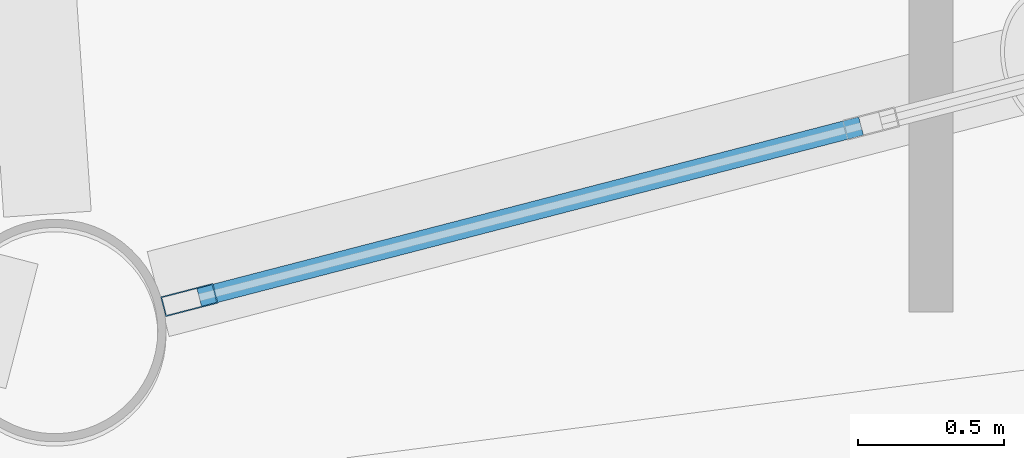
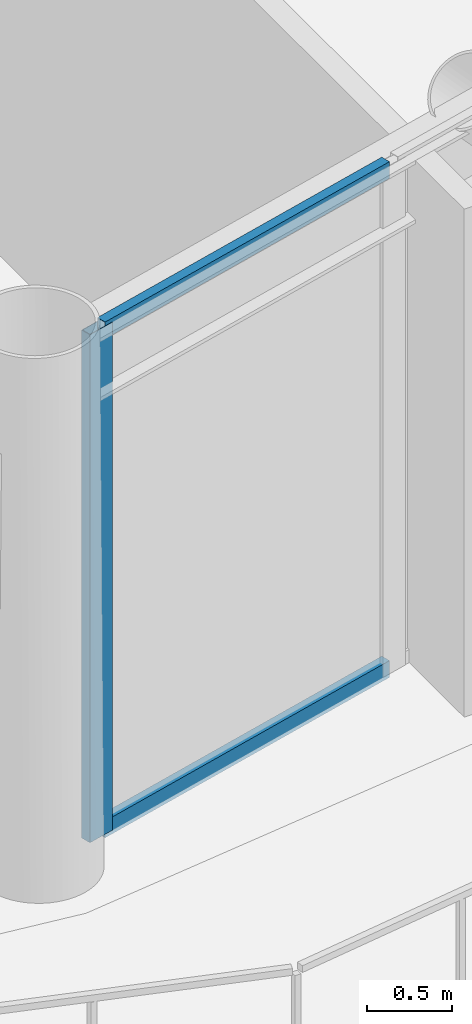
# One storey, part 5 of 23: 3 members, 1 element without a shape of its own.
"""IFC4 building model written with IfcOpenShell, lengths in metres."""

import ifcopenshell
import ifcopenshell.guid

model = None  # the IFC model being written
_history = None  # IfcOwnerHistory: only IFC2X3 demands one
_inside = {}  # id of a spatial element -> (the spatial element, [elements in it])
_under = {}  # id of a project, library or spatial element -> (it, [spatial elements below it])
_declared = {}  # id of a project -> (the project, [libraries it declares])
_typed = {}  # id of a type object -> (the type object, [elements of that type])
_made_of = {}  # id of a material, layer set ... -> (it, [elements and type objects made of it])


def new_model(schema):
    """Start an empty IFC model of exactly this schema.

    Asked for "IFC4X3", IfcOpenShell would pick the latest addendum, in which some entities
    have other attributes; the version numbers below select the first issue.
    IFC2X3 requires an IfcOwnerHistory on every rooted entity: one is made here for all.
    """
    global model, _history
    if schema == "IFC4X3":
        model = ifcopenshell.file(schema_version=(4, 3, 0, 0))
    else:
        model = ifcopenshell.file(schema=schema)
    _inside.clear()
    _under.clear()
    _declared.clear()
    _typed.clear()
    _made_of.clear()
    _history = None
    if model.schema == "IFC2X3":
        org = make("IfcOrganization", Name="unknown")
        user = make(
            "IfcPersonAndOrganization",
            ThePerson=make("IfcPerson", FamilyName="unknown"),
            TheOrganization=org,
        )
        app = make(
            "IfcApplication",
            ApplicationDeveloper=org,
            Version="unknown",
            ApplicationFullName="unknown",
            ApplicationIdentifier="unknown",
        )
        _history = make(
            "IfcOwnerHistory",
            OwningUser=user,
            OwningApplication=app,
            ChangeAction="ADDED",
            CreationDate=0,
        )
    return model


def make(cls, **values):
    """One entity of the class cls with the attributes given. An attribute that is None is left unset."""
    return model.create_entity(
        cls, **{name: value for name, value in values.items() if value is not None}
    )


def rooted(cls, **values):
    """An entity with a GlobalId (a new one), such as an element, a storey or a relation."""
    return make(cls, GlobalId=ifcopenshell.guid.new(), OwnerHistory=_history, **values)


def si_unit(unit_type, name, prefix=None):
    """IfcSIUnit, for example si_unit("LENGTHUNIT", "METRE", prefix="MILLI")."""
    return make("IfcSIUnit", UnitType=unit_type, Prefix=prefix, Name=name)


def assignment(units):
    """IfcUnitAssignment: the units of a project."""
    return None if units is None else make("IfcUnitAssignment", Units=units)


def point(xyz):
    """IfcCartesianPoint."""
    return None if xyz is None else make("IfcCartesianPoint", Coordinates=xyz)


def direction(xyz):
    """IfcDirection."""
    return None if xyz is None else make("IfcDirection", DirectionRatios=xyz)


def frame(location, z_axis=None, x_axis=None):
    """IfcAxis2Placement3D, a coordinate frame: its origin and axes. An axis left out is left unset."""
    return make(
        "IfcAxis2Placement3D",
        Location=point(location),
        Axis=direction(z_axis),
        RefDirection=direction(x_axis),
    )


def frame_2d(location, x_axis=None):
    """IfcAxis2Placement2D, a coordinate frame in the plane: its origin and x axis."""
    return make(
        "IfcAxis2Placement2D", Location=point(location), RefDirection=direction(x_axis)
    )


def origin():
    """The frame at (0, 0, 0) with its axes left unset."""
    return frame((0.0, 0.0, 0.0))


def origin_2d():
    """The frame at (0, 0) in the plane with its x axis left unset."""
    return frame_2d((0.0, 0.0))


def place(relative_to, where):
    """IfcLocalPlacement: puts the frame where relative to a parent placement (None: the world)."""
    return make(
        "IfcLocalPlacement", PlacementRelTo=relative_to, RelativePlacement=where
    )


def context(
    kind, dimensions, precision=None, world=None, true_north=None, identifier=None
):
    """IfcGeometricRepresentationContext, for example the 3D "Model" context."""
    return make(
        "IfcGeometricRepresentationContext",
        ContextIdentifier=identifier,
        ContextType=kind,
        CoordinateSpaceDimension=dimensions,
        Precision=precision,
        WorldCoordinateSystem=world,
        TrueNorth=true_north,
    )


def subcontext(parent, identifier, kind, view, scale=None):
    """IfcGeometricRepresentationSubContext, for example "Body" below "Model"."""
    return make(
        "IfcGeometricRepresentationSubContext",
        ContextIdentifier=identifier,
        ContextType=kind,
        ParentContext=parent,
        TargetScale=scale,
        TargetView=view,
    )


def project(units=None, contexts=None):
    """IfcProject with its units and contexts."""
    return rooted(
        "IfcProject",
        Name="project",
        RepresentationContexts=contexts,
        UnitsInContext=assignment(units),
    )


def spatial(cls, under=None, at=None, **own):
    """A site, building, storey or space (cls), placed at a placement, below another one or the project."""
    s = rooted(cls, ObjectPlacement=at, **own)
    if under is not None:
        _under.setdefault(under.id(), (under, []))[1].append(s)
    return s


def profile(cls, at=None, kind="AREA", **sizes):
    """A parametric profile (cls). Its sizes go by their IFC names, for example OverallWidth=200.0."""
    return make(cls, ProfileType=kind, Position=at, **sizes)


def hollow_rectangle(**sizes):
    """IfcRectangleHollowProfileDef."""
    return profile("IfcRectangleHollowProfileDef", **sizes)


def extrude(swept, where, along, depth):
    """IfcExtrudedAreaSolid: the profile swept, set in the frame where, extruded along a direction by depth."""
    return make(
        "IfcExtrudedAreaSolid",
        SweptArea=swept,
        Position=where,
        ExtrudedDirection=direction(along),
        Depth=depth,
    )


def shape(context_of_items, identifier, shape_type, items):
    """IfcShapeRepresentation: the items that make up one representation, for example the "Body"."""
    return make(
        "IfcShapeRepresentation",
        ContextOfItems=context_of_items,
        RepresentationIdentifier=identifier,
        RepresentationType=shape_type,
        Items=items,
    )


def material(Name=None, Category=None):
    """IfcMaterial."""
    return make("IfcMaterial", Name=Name, Category=Category)


def layer(
    of_material, thickness, ventilated=None, Name=None, Category=None, Priority=None
):
    """IfcMaterialLayer: one layer of a wall or slab, of a material (None: an air gap)."""
    return make(
        "IfcMaterialLayer",
        Material=of_material,
        LayerThickness=thickness,
        IsVentilated=ventilated,
        Name=Name,
        Category=Category,
        Priority=Priority,
    )


def layer_set(layers, Name=None):
    """IfcMaterialLayerSet."""
    return make("IfcMaterialLayerSet", MaterialLayers=layers, LayerSetName=Name)


def material_profile(
    of_material, cross_section, Name=None, Category=None, Priority=None
):
    """IfcMaterialProfile: a cross section and its material."""
    return make(
        "IfcMaterialProfile",
        Name=Name,
        Material=of_material,
        Profile=cross_section,
        Priority=Priority,
        Category=Category,
    )


def profile_set(profiles, Name=None, composite=None):
    """IfcMaterialProfileSet."""
    return make(
        "IfcMaterialProfileSet",
        Name=Name,
        MaterialProfiles=profiles,
        CompositeProfile=composite,
    )


def made_of(thing, what):
    """Note that an element or type object is made of a material, layer set ...; save() writes the relation."""
    if what is not None:
        _made_of.setdefault(what.id(), (what, []))[1].append(thing)
    return thing


def type_object(cls, material=None, **own):
    """A type object (cls), such as IfcWallType, which elements share."""
    return made_of(rooted(cls, **own), material)


def element(
    cls,
    number,
    at=None,
    inside=None,
    cuts=None,
    type_object=None,
    material=None,
    context=None,
    identifier="Body",
    shape_type=None,
    held_by="IfcProductDefinitionShape",
    body=None,
    shapes=None,
    **own,
):
    """One element of the class cls, such as IfcWall. Its Tag is "e" and its number.

    at: its placement. inside: the storey or other place that contains it. cuts: it is an
    opening in that element (IfcRelVoidsElement). A single representation is given by context,
    identifier, shape_type and body (its items); several are given by shapes. held_by: the class
    of the entity that holds the representations. save() writes the other relations.
    """
    e = rooted(cls, Tag="e%d" % number, ObjectPlacement=at, **own)
    if body is not None:
        shapes = [shape(context, identifier, shape_type, body)]
    if shapes is not None:
        e.Representation = make(held_by, Representations=shapes)
    if inside is not None:
        _inside.setdefault(inside.id(), (inside, []))[1].append(e)
    if cuts is not None:
        rooted(
            "IfcRelVoidsElement", RelatingBuildingElement=cuts, RelatedOpeningElement=e
        )
    if type_object is not None:
        _typed.setdefault(type_object.id(), (type_object, []))[1].append(e)
    return made_of(e, material)


def aggregate(whole, parts):
    """IfcRelAggregates: a whole, such as a stair, and the parts it consists of."""
    return rooted("IfcRelAggregates", RelatingObject=whole, RelatedObjects=parts)


def save(model, path):
    """Write the relations noted so far, then the file.

    IfcRelAggregates (storeys below a building ...), IfcRelContainedInSpatialStructure (elements
    in a storey), IfcRelDefinesByType, IfcRelAssociatesMaterial and IfcRelDeclares: one each for
    every whole, place, type object, material and project.
    """
    for whole, parts in _under.values():
        aggregate(whole, parts)
    for where, things in _inside.values():
        rooted(
            "IfcRelContainedInSpatialStructure",
            RelatedElements=things,
            RelatingStructure=where,
        )
    for kind, things in _typed.values():
        rooted("IfcRelDefinesByType", RelatedObjects=things, RelatingType=kind)
    for what, things in _made_of.values():
        rooted("IfcRelAssociatesMaterial", RelatedObjects=things, RelatingMaterial=what)
    for by, libraries in _declared.values():
        rooted("IfcRelDeclares", RelatingContext=by, RelatedDefinitions=libraries)
    model.write(path)


model = new_model("IFC4")

# Units and contexts
model_context = context("Model", 3, precision=1e-05, world=origin(), true_north=direction((0.0, 1.0)))
body_context = subcontext(model_context, "Body", "Model", "MODEL_VIEW")
ifc_project = project(units=[si_unit("LENGTHUNIT", "METRE"), si_unit("AREAUNIT", "SQUARE_METRE"), si_unit("VOLUMEUNIT", "CUBIC_METRE"), si_unit("PLANEANGLEUNIT", "RADIAN"), si_unit("MASSUNIT", "GRAM", prefix="KILO")], contexts=[model_context])

# Site, building, storey
site_placement = place(None, origin())
site = spatial("IfcSite", under=ifc_project, at=site_placement, CompositionType="ELEMENT")
building_placement = place(site_placement, origin())
building = spatial("IfcBuilding", under=site, at=building_placement, Name="Varnakorn Sky Granary", CompositionType="ELEMENT")
storey_placement = place(building_placement, frame((0.0, 0.0, 150.0)))
storey = spatial("IfcBuildingStorey", under=building, at=storey_placement, Name="L37", CompositionType="ELEMENT", Elevation=150.0)

# Curtain wall, members
ifc_material = material(Name="Anodised Bronze Aluminium Alloy 6063-T6", Category="aluminium")
ifc_layer = layer(ifc_material, 0.179931640625, Name="Anodised Bronze Aluminium Alloy 6063-T6")
ifc_layer_set = layer_set([ifc_layer], Name="Anodised Bronze Aluminium Alloy 6063-T6")
curtain_wall_type = type_object("IfcCurtainWallType", Name="CW-FRM-2", PredefinedType="USERDEFINED", material=ifc_layer_set)
curtain_wall_placement = place(storey_placement, origin())
curtain_wall = element("IfcCurtainWall", 1, at=curtain_wall_placement, inside=storey, type_object=curtain_wall_type, Name="Unitised Curtain Wall CW4 CW-L37-B10", ObjectType="CURTAIN WALL", PredefinedType="USERDEFINED")
ifc_material_profile_1 = material_profile(ifc_material, hollow_rectangle(XDim=0.070068359375, YDim=0.18505859375, WallThickness=0.00390625, at=origin_2d()), Name="ALU MULL 70x185")
ifc_profile_set_1 = profile_set([ifc_material_profile_1], Name="Anodised Bronze Aluminium Alloy 6063-T6")
member_type_1 = type_object("IfcMemberType", Name="CW-FRM-2-MULL", PredefinedType="MULLION", material=ifc_profile_set_1)
member_1_placement = place(storey_placement, frame((-1.039306640625, -18.968505859375, 0.0), z_axis=(0.0, 0.0, 1.0), x_axis=(0.250747882896, -0.968052425865, 0.0)))
member_1 = element("IfcMember", 2, at=member_1_placement, type_object=member_type_1, Name="CW4 mullion 5", PredefinedType="MULLION", context=body_context, shape_type="SweptSolid", body=[
    extrude(hollow_rectangle(XDim=0.070068359375, YDim=0.18505859375, WallThickness=0.00390625, at=origin_2d()), origin(), (0.0, 0.0, 1.0), 3.639892578125),
])
ifc_material_profile_2 = material_profile(ifc_material, hollow_rectangle(XDim=0.06494140625, YDim=0.1201171875, WallThickness=0.00341796875, at=origin_2d()), Name="ALU TRAN 65x120")
ifc_profile_set_2 = profile_set([ifc_material_profile_2], Name="Anodised Bronze Aluminium Alloy 6063-T6")
member_type_2 = type_object("IfcMemberType", Name="CW-FRM-2-TRAN", PredefinedType="USERDEFINED", material=ifc_profile_set_2)
member_2_placement = place(storey_placement, frame((1.260498046875, -18.373046875, 0.032470703125), z_axis=(-0.9680522446, -0.250748582698, 0.0), x_axis=(0.250748582698, -0.9680522446, 0.0)))
member_2 = element("IfcMember", 3, at=member_2_placement, type_object=member_type_2, Name="CW4 transom 4.1", ObjectType="TRANSOM", PredefinedType="USERDEFINED", context=body_context, shape_type="SweptSolid", body=[
    extrude(hollow_rectangle(XDim=0.06494140625, YDim=0.1201171875, WallThickness=0.00341796875, at=origin_2d()), origin(), (0.0, 0.0, 1.0), 2.340576171875),
])
member_3_placement = place(storey_placement, frame((1.260498046875, -18.373046875, 3.607421875), z_axis=(-0.9680522446, -0.250748582698, 0.0), x_axis=(0.250748582698, -0.9680522446, 0.0)))
member_3 = element("IfcMember", 4, at=member_3_placement, type_object=member_type_2, Name="CW4 transom 4.2", ObjectType="TRANSOM", PredefinedType="USERDEFINED", context=body_context, shape_type="SweptSolid", body=[
    extrude(hollow_rectangle(XDim=0.06494140625, YDim=0.1201171875, WallThickness=0.00341796875, at=origin_2d()), origin(), (0.0, 0.0, 1.0), 2.340576171875),
])
aggregate(curtain_wall, [member_1, member_2, member_3])

save(model, "model.ifc")
